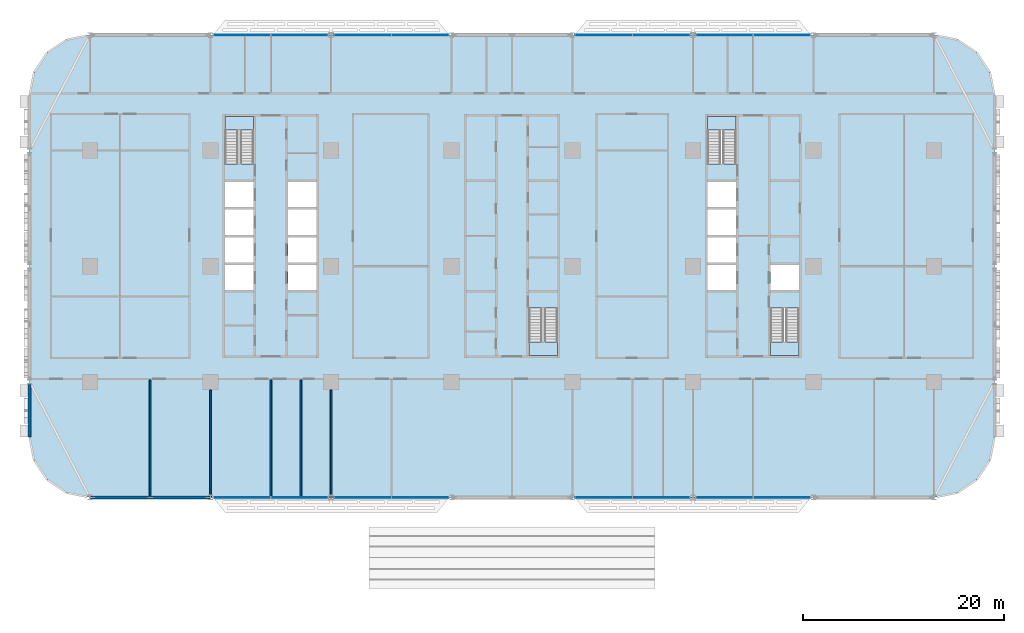
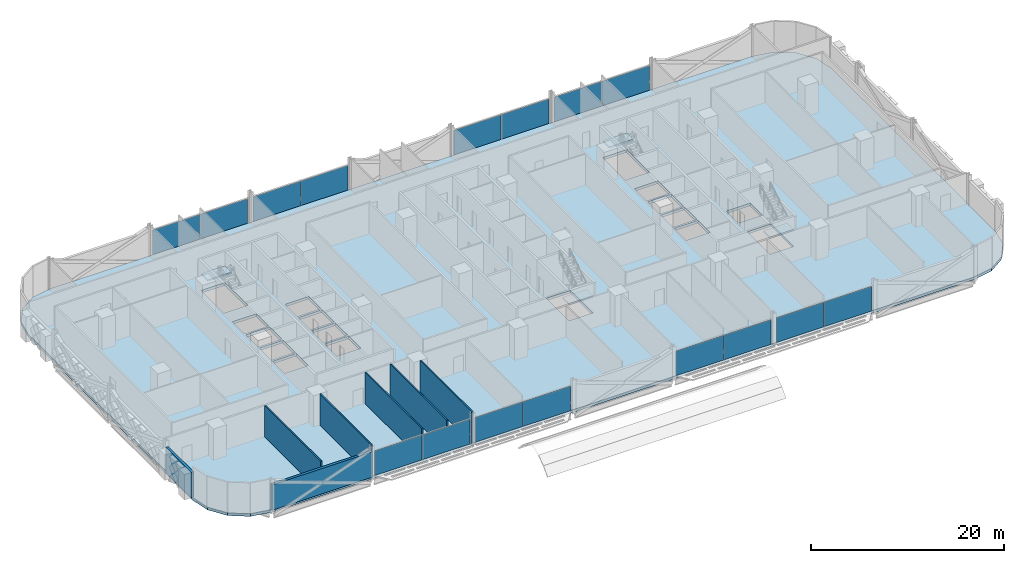
# One storey, part 8 of 26: 16 plates, 7 walls, 5 slabs, 12 elements without a shape of their own.
"""IFC4 building model written with IfcOpenShell, lengths in metres."""

from ifc_helpers import new_model, si_unit, direction, frame, frame_2d, origin, origin_2d, place, context, subcontext, project, spatial, polyline, rectangle, outline, extrude, material, layer, layer_set, type_object, element, aggregate, save


model = new_model("IFC4")

# Units and contexts
model_context = context("Model", 3, precision=1e-05, world=origin(), true_north=direction((0.0, 1.0)))
body_context = subcontext(model_context, "Body", "Model", "MODEL_VIEW")
ifc_project = project(units=[si_unit("LENGTHUNIT", "METRE"), si_unit("AREAUNIT", "SQUARE_METRE"), si_unit("VOLUMEUNIT", "CUBIC_METRE"), si_unit("PLANEANGLEUNIT", "RADIAN"), si_unit("MASSUNIT", "GRAM", prefix="KILO")], contexts=[model_context])

# Site, building, storey
site_placement = place(None, origin())
site = spatial("IfcSite", under=ifc_project, at=site_placement, CompositionType="ELEMENT")
building_placement = place(site_placement, origin())
building = spatial("IfcBuilding", under=site, at=building_placement, Name="Mahtab Terrace Research Tower", CompositionType="ELEMENT")
storey_placement = place(building_placement, frame((0.0, 0.0, 15.800048828125)))
storey = spatial("IfcBuildingStorey", under=building, at=storey_placement, Name="L03", CompositionType="ELEMENT", Elevation=15.800048828125)

# Stair, slab
ifc_material_1 = material(Name="Exit stair half-turn")
stair_type = type_object("IfcStairType", Name="Exit stair half-turn", PredefinedType="HALF_TURN_STAIR", material=ifc_material_1)
stair_1_placement = place(storey_placement, origin())
stair_1 = element("IfcStair", 1, at=stair_1_placement, inside=storey, type_object=stair_type, Name="L03 Protected exit stair ST1", PredefinedType="HALF_TURN_STAIR")
ifc_material_2 = material(Name="Concrete C40/50", Category="concrete")
ifc_layer_1 = layer(ifc_material_2, 0.199951171875)
ifc_layer_set_1 = layer_set([ifc_layer_1], Name="Exit stair landing 200")
slab_type_1 = type_object("IfcSlabType", Name="Exit stair landing 200", PredefinedType="LANDING", material=ifc_layer_set_1)
slab_1_placement = place(storey_placement, frame((0.0, 0.0, 1.949951171875)))
slab_1 = element("IfcSlab", 2, at=slab_1_placement, type_object=slab_type_1, Name="ST1 landing 1", PredefinedType="LANDING", context=body_context, shape_type="SweptSolid", body=[
    extrude(outline(polyline([(-25.699951171875, 13.534912109375), (-25.699951171875, 14.875), (-28.550048828125, 14.875), (-28.550048828125, 13.534912109375), (-25.699951171875, 13.534912109375)])), origin(), (0.0, 0.0, 1.0), 0.199951171875),
])
aggregate(stair_1, [slab_1])

stair_2_placement = place(storey_placement, origin())
stair_2 = element("IfcStair", 3, at=stair_2_placement, inside=storey, type_object=stair_type, Name="L03 Protected exit stair ST2", PredefinedType="HALF_TURN_STAIR")
slab_2_placement = place(storey_placement, frame((0.0, 0.0, 1.949951171875)))
slab_2 = element("IfcSlab", 4, at=slab_2_placement, type_object=slab_type_1, Name="ST2 landing 1", PredefinedType="LANDING", context=body_context, shape_type="SweptSolid", body=[
    extrude(outline(polyline([(1.699951171875, -7.534912109375), (1.699951171875, -8.875), (4.550048828125, -8.875), (4.550048828125, -7.534912109375), (1.699951171875, -7.534912109375)])), origin(), (0.0, 0.0, 1.0), 0.199951171875),
])
aggregate(stair_2, [slab_2])

stair_3_placement = place(storey_placement, origin())
stair_3 = element("IfcStair", 5, at=stair_3_placement, inside=storey, type_object=stair_type, Name="L03 Protected exit stair ST3", PredefinedType="HALF_TURN_STAIR")
slab_3_placement = place(storey_placement, frame((0.0, 0.0, 1.949951171875)))
slab_3 = element("IfcSlab", 6, at=slab_3_placement, type_object=slab_type_1, Name="ST3 landing 1", PredefinedType="LANDING", context=body_context, shape_type="SweptSolid", body=[
    extrude(outline(polyline([(22.300048828125, 13.534912109375), (22.300048828125, 14.875), (19.449951171875, 14.875), (19.449951171875, 13.534912109375), (22.300048828125, 13.534912109375)])), origin(), (0.0, 0.0, 1.0), 0.199951171875),
])
aggregate(stair_3, [slab_3])

stair_4_placement = place(storey_placement, origin())
stair_4 = element("IfcStair", 7, at=stair_4_placement, inside=storey, type_object=stair_type, Name="L03 Protected exit stair ST4", PredefinedType="HALF_TURN_STAIR")
slab_4_placement = place(storey_placement, frame((0.0, 0.0, 1.949951171875)))
slab_4 = element("IfcSlab", 8, at=slab_4_placement, type_object=slab_type_1, Name="ST4 landing 1", PredefinedType="LANDING", context=body_context, shape_type="SweptSolid", body=[
    extrude(outline(polyline([(25.699951171875, -7.534912109375), (25.699951171875, -8.875), (28.550048828125, -8.875), (28.550048828125, -7.534912109375), (25.699951171875, -7.534912109375)])), origin(), (0.0, 0.0, 1.0), 0.199951171875),
])
aggregate(stair_4, [slab_4])

# Curtain wall, plates
ifc_material_3 = material(Name="Laboratory ribbon curtain wall")
curtain_wall_type = type_object("IfcCurtainWallType", Name="Laboratory ribbon curtain wall", PredefinedType="NOTDEFINED", material=ifc_material_3)
curtain_wall_1_placement = place(storey_placement, origin())
curtain_wall_1 = element("IfcCurtainWall", 9, at=curtain_wall_1_placement, inside=storey, type_object=curtain_wall_type, Name="EN.L03.3.4", PredefinedType="NOTDEFINED")
ifc_material_4 = material(Name="Dark glazing", Category="glass")
ifc_layer_2 = layer(ifc_material_4, 0.031982421875)
ifc_layer_set_2 = layer_set([ifc_layer_2], Name="Laboratory ribbon curtain wall glazing panel")
plate_type = type_object("IfcPlateType", Name="Laboratory ribbon curtain wall glazing panel", PredefinedType="CURTAIN_PANEL", material=ifc_layer_set_2)
plate_1_placement = place(storey_placement, frame((26.859130859375, 23.0, 0.0), z_axis=(0.0, 0.0, 1.0), x_axis=(-1.0, 0.0, 0.0)))
plate_1 = element("IfcPlate", 10, at=plate_1_placement, type_object=plate_type, Name="CWL-1 panel 1", PredefinedType="CURTAIN_PANEL", context=body_context, shape_type="SweptSolid", body=[
    extrude(rectangle(XDim=5.653564453125, YDim=0.031982421875, at=origin_2d()), origin(), (0.0, 0.0, 1.0), 3.10302734375),
])
plate_2_placement = place(storey_placement, frame((21.140869140625, 23.0, 0.0), z_axis=(0.0, 0.0, 1.0), x_axis=(-1.0, 0.0, 0.0)))
plate_2 = element("IfcPlate", 11, at=plate_2_placement, type_object=plate_type, Name="CWL-1 panel 2", PredefinedType="CURTAIN_PANEL", context=body_context, shape_type="SweptSolid", body=[
    extrude(rectangle(XDim=5.653564453125, YDim=0.031982421875, at=origin_2d()), origin(), (0.0, 0.0, 1.0), 3.10302734375),
])
aggregate(curtain_wall_1, [plate_1, plate_2])

curtain_wall_2_placement = place(storey_placement, origin())
curtain_wall_2 = element("IfcCurtainWall", 12, at=curtain_wall_2_placement, inside=storey, type_object=curtain_wall_type, Name="EN.L03.3.5", PredefinedType="NOTDEFINED")
plate_3_placement = place(storey_placement, frame((14.859130859375, 23.0, 0.0), z_axis=(0.0, 0.0, 1.0), x_axis=(-1.0, 0.0, 0.0)))
plate_3 = element("IfcPlate", 13, at=plate_3_placement, type_object=plate_type, Name="CWL-1 panel 1", PredefinedType="CURTAIN_PANEL", context=body_context, shape_type="SweptSolid", body=[
    extrude(rectangle(XDim=5.653564453125, YDim=0.031982421875, at=origin_2d()), origin(), (0.0, 0.0, 1.0), 3.10302734375),
])
plate_4_placement = place(storey_placement, frame((9.140869140625, 23.0, 0.0), z_axis=(0.0, 0.0, 1.0), x_axis=(-1.0, 0.0, 0.0)))
plate_4 = element("IfcPlate", 14, at=plate_4_placement, type_object=plate_type, Name="CWL-1 panel 2", PredefinedType="CURTAIN_PANEL", context=body_context, shape_type="SweptSolid", body=[
    extrude(rectangle(XDim=5.653564453125, YDim=0.031982421875, at=origin_2d()), origin(), (0.0, 0.0, 1.0), 3.10302734375),
])
aggregate(curtain_wall_2, [plate_3, plate_4])

curtain_wall_3_placement = place(storey_placement, origin())
curtain_wall_3 = element("IfcCurtainWall", 15, at=curtain_wall_3_placement, inside=storey, type_object=curtain_wall_type, Name="EN.L03.3.7", PredefinedType="NOTDEFINED")
plate_5_placement = place(storey_placement, frame((-9.140869140625, 23.0, 0.0), z_axis=(0.0, 0.0, 1.0), x_axis=(-1.0, 0.0, 0.0)))
plate_5 = element("IfcPlate", 16, at=plate_5_placement, type_object=plate_type, Name="CWL-1 panel 1", PredefinedType="CURTAIN_PANEL", context=body_context, shape_type="SweptSolid", body=[
    extrude(rectangle(XDim=5.653564453125, YDim=0.031982421875, at=origin_2d()), origin(), (0.0, 0.0, 1.0), 3.10302734375),
])
plate_6_placement = place(storey_placement, frame((-14.859130859375, 23.0, 0.0), z_axis=(0.0, 0.0, 1.0), x_axis=(-1.0, 0.0, 0.0)))
plate_6 = element("IfcPlate", 17, at=plate_6_placement, type_object=plate_type, Name="CWL-1 panel 2", PredefinedType="CURTAIN_PANEL", context=body_context, shape_type="SweptSolid", body=[
    extrude(rectangle(XDim=5.653564453125, YDim=0.031982421875, at=origin_2d()), origin(), (0.0, 0.0, 1.0), 3.10302734375),
])
aggregate(curtain_wall_3, [plate_5, plate_6])

curtain_wall_4_placement = place(storey_placement, origin())
curtain_wall_4 = element("IfcCurtainWall", 18, at=curtain_wall_4_placement, inside=storey, type_object=curtain_wall_type, Name="EN.L03.3.8", PredefinedType="NOTDEFINED")
plate_7_placement = place(storey_placement, frame((-21.140869140625, 23.0, 0.0), z_axis=(0.0, 0.0, 1.0), x_axis=(-1.0, 0.0, 0.0)))
plate_7 = element("IfcPlate", 19, at=plate_7_placement, type_object=plate_type, Name="CWL-1 panel 1", PredefinedType="CURTAIN_PANEL", context=body_context, shape_type="SweptSolid", body=[
    extrude(rectangle(XDim=5.653564453125, YDim=0.031982421875, at=origin_2d()), origin(), (0.0, 0.0, 1.0), 3.10302734375),
])
plate_8_placement = place(storey_placement, frame((-26.859130859375, 23.0, 0.0), z_axis=(0.0, 0.0, 1.0), x_axis=(-1.0, 0.0, 0.0)))
plate_8 = element("IfcPlate", 20, at=plate_8_placement, type_object=plate_type, Name="CWL-1 panel 2", PredefinedType="CURTAIN_PANEL", context=body_context, shape_type="SweptSolid", body=[
    extrude(rectangle(XDim=5.653564453125, YDim=0.031982421875, at=origin_2d()), origin(), (0.0, 0.0, 1.0), 3.10302734375),
])
aggregate(curtain_wall_4, [plate_7, plate_8])

curtain_wall_5_placement = place(storey_placement, origin())
curtain_wall_5 = element("IfcCurtainWall", 21, at=curtain_wall_5_placement, inside=storey, type_object=curtain_wall_type, Name="EN.L03.13.23", PredefinedType="NOTDEFINED")
plate_9_placement = place(storey_placement, frame((-26.859130859375, -23.0, 0.0), z_axis=(0.0, 0.0, 1.0), x_axis=(1.0, 0.0, 0.0)))
plate_9 = element("IfcPlate", 22, at=plate_9_placement, type_object=plate_type, Name="CWL-1 panel 1", PredefinedType="CURTAIN_PANEL", context=body_context, shape_type="SweptSolid", body=[
    extrude(rectangle(XDim=5.653564453125, YDim=0.031982421875, at=origin_2d()), origin(), (0.0, 0.0, 1.0), 3.10302734375),
])
plate_10_placement = place(storey_placement, frame((-21.140869140625, -23.0, 0.0), z_axis=(0.0, 0.0, 1.0), x_axis=(1.0, 0.0, 0.0)))
plate_10 = element("IfcPlate", 23, at=plate_10_placement, type_object=plate_type, Name="CWL-1 panel 2", PredefinedType="CURTAIN_PANEL", context=body_context, shape_type="SweptSolid", body=[
    extrude(rectangle(XDim=5.653564453125, YDim=0.031982421875, at=origin_2d()), origin(), (0.0, 0.0, 1.0), 3.10302734375),
])
aggregate(curtain_wall_5, [plate_9, plate_10])

curtain_wall_6_placement = place(storey_placement, origin())
curtain_wall_6 = element("IfcCurtainWall", 24, at=curtain_wall_6_placement, inside=storey, type_object=curtain_wall_type, Name="EN.L03.13.24", PredefinedType="NOTDEFINED")
plate_11_placement = place(storey_placement, frame((-14.859130859375, -23.0, 0.0), z_axis=(0.0, 0.0, 1.0), x_axis=(1.0, 0.0, 0.0)))
plate_11 = element("IfcPlate", 25, at=plate_11_placement, type_object=plate_type, Name="CWL-1 panel 1", PredefinedType="CURTAIN_PANEL", context=body_context, shape_type="SweptSolid", body=[
    extrude(rectangle(XDim=5.653564453125, YDim=0.031982421875, at=origin_2d()), origin(), (0.0, 0.0, 1.0), 3.10302734375),
])
plate_12_placement = place(storey_placement, frame((-9.140869140625, -23.0, 0.0), z_axis=(0.0, 0.0, 1.0), x_axis=(1.0, 0.0, 0.0)))
plate_12 = element("IfcPlate", 26, at=plate_12_placement, type_object=plate_type, Name="CWL-1 panel 2", PredefinedType="CURTAIN_PANEL", context=body_context, shape_type="SweptSolid", body=[
    extrude(rectangle(XDim=5.653564453125, YDim=0.031982421875, at=origin_2d()), origin(), (0.0, 0.0, 1.0), 3.10302734375),
])
aggregate(curtain_wall_6, [plate_11, plate_12])

curtain_wall_7_placement = place(storey_placement, origin())
curtain_wall_7 = element("IfcCurtainWall", 27, at=curtain_wall_7_placement, inside=storey, type_object=curtain_wall_type, Name="EN.L03.13.26", PredefinedType="NOTDEFINED")
plate_13_placement = place(storey_placement, frame((9.140869140625, -23.0, 0.0), z_axis=(0.0, 0.0, 1.0), x_axis=(1.0, 0.0, 0.0)))
plate_13 = element("IfcPlate", 28, at=plate_13_placement, type_object=plate_type, Name="CWL-1 panel 1", PredefinedType="CURTAIN_PANEL", context=body_context, shape_type="SweptSolid", body=[
    extrude(rectangle(XDim=5.653564453125, YDim=0.031982421875, at=origin_2d()), origin(), (0.0, 0.0, 1.0), 3.10302734375),
])
plate_14_placement = place(storey_placement, frame((14.859130859375, -23.0, 0.0), z_axis=(0.0, 0.0, 1.0), x_axis=(1.0, 0.0, 0.0)))
plate_14 = element("IfcPlate", 29, at=plate_14_placement, type_object=plate_type, Name="CWL-1 panel 2", PredefinedType="CURTAIN_PANEL", context=body_context, shape_type="SweptSolid", body=[
    extrude(rectangle(XDim=5.653564453125, YDim=0.031982421875, at=origin_2d()), origin(), (0.0, 0.0, 1.0), 3.10302734375),
])
aggregate(curtain_wall_7, [plate_13, plate_14])

curtain_wall_8_placement = place(storey_placement, origin())
curtain_wall_8 = element("IfcCurtainWall", 30, at=curtain_wall_8_placement, inside=storey, type_object=curtain_wall_type, Name="EN.L03.13.27", PredefinedType="NOTDEFINED")
plate_15_placement = place(storey_placement, frame((21.140869140625, -23.0, 0.0), z_axis=(0.0, 0.0, 1.0), x_axis=(1.0, 0.0, 0.0)))
plate_15 = element("IfcPlate", 31, at=plate_15_placement, type_object=plate_type, Name="CWL-1 panel 1", PredefinedType="CURTAIN_PANEL", context=body_context, shape_type="SweptSolid", body=[
    extrude(rectangle(XDim=5.653564453125, YDim=0.031982421875, at=origin_2d()), origin(), (0.0, 0.0, 1.0), 3.10302734375),
])
plate_16_placement = place(storey_placement, frame((26.859130859375, -23.0, 0.0), z_axis=(0.0, 0.0, 1.0), x_axis=(1.0, 0.0, 0.0)))
plate_16 = element("IfcPlate", 32, at=plate_16_placement, type_object=plate_type, Name="CWL-1 panel 2", PredefinedType="CURTAIN_PANEL", context=body_context, shape_type="SweptSolid", body=[
    extrude(rectangle(XDim=5.653564453125, YDim=0.031982421875, at=origin_2d()), origin(), (0.0, 0.0, 1.0), 3.10302734375),
])
aggregate(curtain_wall_8, [plate_15, plate_16])

# Slab
ifc_layer_3 = layer(ifc_material_2, 0.340087890625)
ifc_layer_set_3 = layer_set([ifc_layer_3], Name="PT flat slab 340")
slab_type_2 = type_object("IfcSlabType", Name="PT flat slab 340", PredefinedType="FLOOR", material=ifc_layer_set_3)
slab_5_placement = place(storey_placement, frame((0.0, 0.0, -0.340087890625)))
element("IfcSlab", 33, at=slab_5_placement, inside=storey, type_object=slab_type_2, Name="Floor slab L03", PredefinedType="FLOOR", context=body_context, shape_type="SweptSolid", body=[
    extrude(outline(polyline([(47.54296875, 19.2958984375), (46.242919921875, 21.242919921875), (44.2958984375, 22.54296875), (42.0, 23.0), (-42.0, 23.0), (-44.2958984375, 22.54296875), (-46.242919921875, 21.242919921875), (-47.54296875, 19.2958984375), (-48.0, 17.0), (-48.0, -17.0), (-47.54296875, -19.2958984375), (-46.242919921875, -21.242919921875), (-44.2958984375, -22.54296875), (-42.0, -23.0), (42.0, -23.0), (44.2958984375, -22.54296875), (46.242919921875, -21.242919921875), (47.54296875, -19.2958984375), (48.0, -17.0), (48.0, 17.0), (47.54296875, 19.2958984375)]), holes=[polyline([(-28.550048828125, -2.375), (-28.550048828125, 0.125), (-25.699951171875, 0.125), (-25.699951171875, -2.375), (-28.550048828125, -2.375)]), polyline([(-22.300048828125, -2.375), (-22.300048828125, 0.125), (-19.449951171875, 0.125), (-19.449951171875, -2.375), (-22.300048828125, -2.375)]), polyline([(-28.550048828125, 0.375), (-28.550048828125, 2.875), (-25.699951171875, 2.875), (-25.699951171875, 0.375), (-28.550048828125, 0.375)]), polyline([(-22.300048828125, 0.375), (-22.300048828125, 2.875), (-19.449951171875, 2.875), (-19.449951171875, 0.375), (-22.300048828125, 0.375)]), polyline([(-28.550048828125, 3.125), (-28.550048828125, 5.625), (-25.699951171875, 5.625), (-25.699951171875, 3.125), (-28.550048828125, 3.125)]), polyline([(-22.300048828125, 3.125), (-22.300048828125, 5.625), (-19.449951171875, 5.625), (-19.449951171875, 3.125), (-22.300048828125, 3.125)]), polyline([(-28.550048828125, 5.875), (-28.550048828125, 8.375), (-25.699951171875, 8.375), (-25.699951171875, 5.875), (-28.550048828125, 5.875)]), polyline([(-22.300048828125, 5.875), (-22.300048828125, 8.375), (-19.449951171875, 8.375), (-19.449951171875, 5.875), (-22.300048828125, 5.875)]), polyline([(-28.550048828125, 10.177001953125), (-28.550048828125, 14.875), (-25.699951171875, 14.875), (-25.699951171875, 10.177001953125), (-28.550048828125, 10.177001953125)]), polyline([(1.699951171875, -8.875), (1.699951171875, -4.177001953125), (4.550048828125, -4.177001953125), (4.550048828125, -8.875), (1.699951171875, -8.875)]), polyline([(25.699951171875, -8.875), (25.699951171875, -4.177001953125), (28.550048828125, -4.177001953125), (28.550048828125, -8.875), (25.699951171875, -8.875)]), polyline([(19.449951171875, -2.375), (19.449951171875, 0.125), (22.300048828125, 0.125), (22.300048828125, -2.375), (19.449951171875, -2.375)]), polyline([(25.699951171875, -2.375), (25.699951171875, 0.125), (28.550048828125, 0.125), (28.550048828125, -2.375), (25.699951171875, -2.375)]), polyline([(19.449951171875, 0.375), (19.449951171875, 2.875), (22.300048828125, 2.875), (22.300048828125, 0.375), (19.449951171875, 0.375)]), polyline([(19.449951171875, 3.125), (19.449951171875, 5.625), (22.300048828125, 5.625), (22.300048828125, 3.125), (19.449951171875, 3.125)]), polyline([(19.449951171875, 8.375), (22.300048828125, 8.375), (22.300048828125, 5.875), (19.449951171875, 5.875), (19.449951171875, 8.375)]), polyline([(19.449951171875, 14.875), (22.300048828125, 14.875), (22.300048828125, 10.177001953125), (19.449951171875, 10.177001953125), (19.449951171875, 14.875)])]), origin(), (0.0, 0.0, 1.0), 0.340087890625),
])

# Walls
ifc_material_5 = material(Name="Black aluminium cladding panel", Category="aluminium")
ifc_layer_4 = layer(ifc_material_5, 0.300048828125)
ifc_layer_set_4 = layer_set([ifc_layer_4], Name="Opaque facade wall 300")
wall_type_1 = type_object("IfcWallType", Name="Opaque facade wall 300", PredefinedType="NOTDEFINED", material=ifc_layer_set_4)
wall_1_placement = place(storey_placement, frame((-48.0, -11.7490234375, 0.0), z_axis=(0.0, 0.0, 1.0), x_axis=(0.0, -1.0, 0.0)))
element("IfcWall", 34, at=wall_1_placement, inside=storey, type_object=wall_type_1, Name="Opaque facade wall L03 W17", PredefinedType="NOTDEFINED", context=body_context, shape_type="SweptSolid", body=[
    extrude(rectangle(XDim=5.2509765625, YDim=0.300048828125, at=frame_2d((2.62548828125, 0.0))), origin(), (0.0, 0.0, 1.0), 3.203125),
])
wall_2_placement = place(storey_placement, frame((-41.97216796875, -23.0, 0.0), z_axis=(0.0, 0.0, 1.0), x_axis=(1.0, 0.0, 0.0)))
element("IfcWall", 35, at=wall_2_placement, inside=storey, type_object=wall_type_1, Name="Opaque facade wall L03 S22", PredefinedType="NOTDEFINED", context=body_context, shape_type="SweptSolid", body=[
    extrude(rectangle(XDim=11.9443359375, YDim=0.300048828125, at=frame_2d((5.97216796875, 0.0))), origin(), (0.0, 0.0, 1.0), 3.203125),
])
ifc_material_6 = material(Name="Gypsum board partition on steel studs", Category="steel")
ifc_layer_5 = layer(ifc_material_6, 0.14990234375)
ifc_layer_set_5 = layer_set([ifc_layer_5], Name="WALL PARTITION 150")
wall_type_2 = type_object("IfcWallType", Name="WALL PARTITION 150", PredefinedType="PARTITIONING", material=ifc_layer_set_5)
wall_3_placement = place(storey_placement, frame((-36.0, -22.85009765625, 0.0), z_axis=(0.0, 0.0, 1.0), x_axis=(0.0, 1.0, 0.0)))
element("IfcWall", 36, at=wall_3_placement, inside=storey, type_object=wall_type_2, Name="L03-W030", PredefinedType="PARTITIONING", context=body_context, shape_type="SweptSolid", body=[
    extrude(rectangle(XDim=11.550048828125, YDim=0.14990234375, at=frame_2d((5.77490234375, 0.0))), origin(), (0.0, 0.0, 1.0), 3.9599609375),
])
wall_4_placement = place(storey_placement, frame((-30.0, -22.97509765625, 0.0), z_axis=(0.0, 0.0, 1.0), x_axis=(0.0, 1.0, 0.0)))
element("IfcWall", 37, at=wall_4_placement, inside=storey, type_object=wall_type_2, Name="L03-W032", PredefinedType="PARTITIONING", context=body_context, shape_type="SweptSolid", body=[
    extrude(rectangle(XDim=10.675048828125, YDim=0.14990234375, at=frame_2d((5.33740234375, 0.0))), origin(), (0.0, 0.0, 1.0), 3.9599609375),
])
for number, where, z_axis, x_axis, name in (
    (38, (-24.0, -22.97509765625, 0.0), (0.0, 0.0, 1.0), (0.0, 1.0, 0.0), "L03-W035"),
    (39, (-21.0, -22.97509765625, 0.0), (0.0, 0.0, 1.0), (0.0, 1.0, 0.0), "L03-W037"),
):
    element("IfcWall", number, at=place(storey_placement, frame(where, z_axis=z_axis, x_axis=x_axis)), inside=storey, type_object=wall_type_2, Name=name, PredefinedType="PARTITIONING", context=body_context, shape_type="SweptSolid", body=[
        extrude(rectangle(XDim=11.675048828125, YDim=0.14990234375, at=frame_2d((5.83740234375, 0.0))), origin(), (0.0, 0.0, 1.0), 3.9599609375),
    ])
wall_5_placement = place(storey_placement, frame((-18.0, -22.97509765625, 0.0), z_axis=(0.0, 0.0, 1.0), x_axis=(0.0, 1.0, 0.0)))
element("IfcWall", 40, at=wall_5_placement, inside=storey, type_object=wall_type_2, Name="L03-W038", PredefinedType="PARTITIONING", context=body_context, shape_type="SweptSolid", body=[
    extrude(rectangle(XDim=10.675048828125, YDim=0.14990234375, at=frame_2d((5.33740234375, 0.0))), origin(), (0.0, 0.0, 1.0), 3.9599609375),
])

save(model, "model.ifc")
